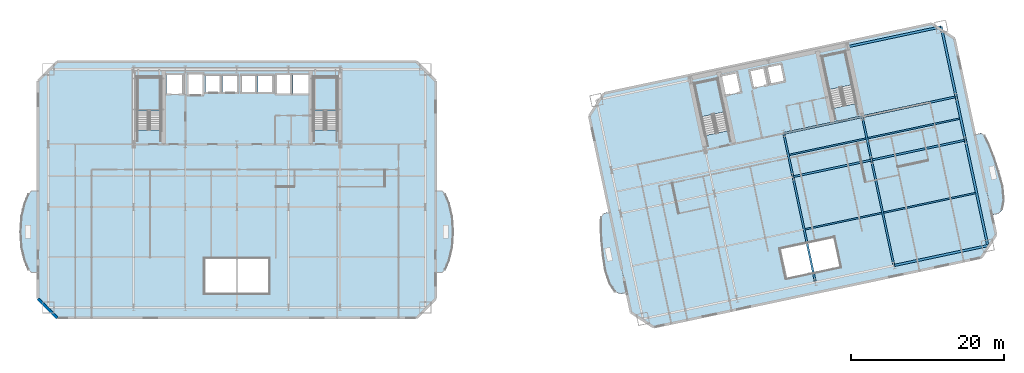
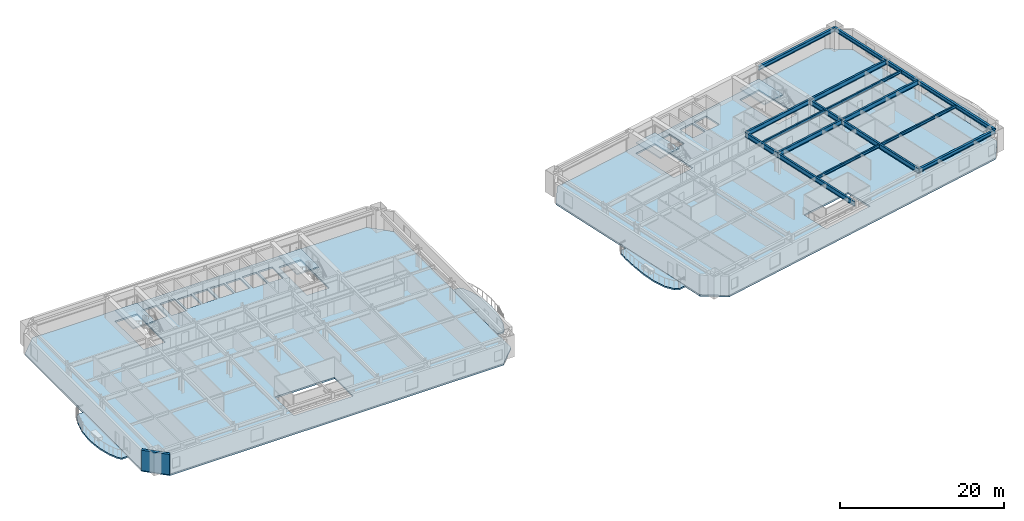
# One storey, part 4 of 16: 17 beams, 10 slabs, 1 wall, 4 elements without a shape of their own.
"""IFC4 building model written with IfcOpenShell, lengths in metres."""

from ifc_helpers import new_model, si_unit, direction, frame, frame_2d, origin, origin_2d, place, context, subcontext, project, spatial, polyline, rectangle, i_section, outline, extrude, material, layer, layer_set, material_profile, profile_set, type_object, element, aggregate, save


model = new_model("IFC4")

# Units and contexts
model_context = context("Model", 3, precision=1e-05, world=origin(), true_north=direction((0.0, 1.0)))
body_context = subcontext(model_context, "Body", "Model", "MODEL_VIEW")
ifc_project = project(units=[si_unit("LENGTHUNIT", "METRE"), si_unit("AREAUNIT", "SQUARE_METRE"), si_unit("VOLUMEUNIT", "CUBIC_METRE"), si_unit("PLANEANGLEUNIT", "RADIAN"), si_unit("MASSUNIT", "GRAM", prefix="KILO")], contexts=[model_context])

# Site, building, storey
site_placement = place(None, origin())
site = spatial("IfcSite", under=ifc_project, at=site_placement, CompositionType="ELEMENT")
building_placement = place(site_placement, origin())
building = spatial("IfcBuilding", under=site, at=building_placement, Name="Haevon Station Towers", CompositionType="ELEMENT")
storey_placement = place(building_placement, frame((0.0, 0.0, 57.0)))
storey = spatial("IfcBuildingStorey", under=building, at=storey_placement, Name="L14", CompositionType="ELEMENT", Elevation=57.0)

# Beams
ifc_material_1 = material(Name="Steel S355", Category="steel")
ifc_material_profile_1 = material_profile(ifc_material_1, i_section(OverallWidth=0.25, OverallDepth=0.699951171875, WebThickness=0.012939453125, FlangeThickness=0.02392578125, at=origin_2d()), Name="H-700x250x13x24")
ifc_profile_set_1 = profile_set([ifc_material_profile_1], Name="Steel S355")
beam_type_1 = type_object("IfcBeamType", Name="BM-G700", PredefinedType="BEAM", material=ifc_profile_set_1)
beam_1_placement = place(storey_placement, frame((110.228759765625, 33.9521484375, 2.699951171875), z_axis=(0.978146794194, 0.207915485254, 0.0), x_axis=(-0.207915485254, 0.978146794194, 0.0)))
element("IfcBeam", 1, at=beam_1_placement, inside=storey, type_object=beam_type_1, Name="BM-T2U-L14-02-03", PredefinedType="BEAM", context=body_context, shape_type="SweptSolid", body=[
    extrude(i_section(OverallWidth=0.25, OverallDepth=0.699951171875, WebThickness=0.012939453125, FlangeThickness=0.02392578125, at=origin_2d()), origin(), (0.0, 0.0, 1.0), 10.5),
])
beam_2_placement = place(storey_placement, frame((120.499267578125, 36.13525390625, 2.699951171875), z_axis=(0.978146686984, 0.207915989628, 0.0), x_axis=(-0.207915989628, 0.978146686984, 0.0)))
element("IfcBeam", 2, at=beam_2_placement, inside=storey, type_object=beam_type_1, Name="BM-T2U-L14-02-04", PredefinedType="BEAM", context=body_context, shape_type="SweptSolid", body=[
    extrude(i_section(OverallWidth=0.25, OverallDepth=0.699951171875, WebThickness=0.012939453125, FlangeThickness=0.02392578125, at=origin_2d()), origin(), (0.0, 0.0, 1.0), 12.550048828125),
])
beam_3_placement = place(storey_placement, frame((109.02294921875, 39.62548828125, 2.699951171875), z_axis=(0.978146794194, 0.207915485254, 0.0), x_axis=(-0.207915485254, 0.978146794194, 0.0)))
element("IfcBeam", 3, at=beam_3_placement, inside=storey, type_object=beam_type_1, Name="BM-T2U-L14-03-03", PredefinedType="BEAM", context=body_context, shape_type="SweptSolid", body=[
    extrude(i_section(OverallWidth=0.25, OverallDepth=0.699951171875, WebThickness=0.012939453125, FlangeThickness=0.02392578125, at=origin_2d()), origin(), (0.0, 0.0, 1.0), 10.5),
])
beam_4_placement = place(storey_placement, frame((119.29345703125, 41.80859375, 2.699951171875), z_axis=(0.978145846015, 0.207919945948, 0.0), x_axis=(-0.207919945948, 0.978145846015, 0.0)))
element("IfcBeam", 4, at=beam_4_placement, inside=storey, type_object=beam_type_1, Name="BM-T2U-L14-03-04", PredefinedType="BEAM", context=body_context, shape_type="SweptSolid", body=[
    extrude(i_section(OverallWidth=0.25, OverallDepth=0.699951171875, WebThickness=0.012939453125, FlangeThickness=0.02392578125, at=origin_2d()), origin(), (0.0, 0.0, 1.0), 12.5498046875),
])
beam_5_placement = place(storey_placement, frame((113.160400390625, 20.160400390625, 2.699951171875), z_axis=(-0.207919431961, 0.978145955271, 0.0), x_axis=(-0.978145955271, -0.207919431961, 0.0)))
element("IfcBeam", 5, at=beam_5_placement, inside=storey, type_object=beam_type_1, Name="BM-T2V-L14-03-01", PredefinedType="BEAM", context=body_context, shape_type="SweptSolid", body=[
    extrude(i_section(OverallWidth=0.25, OverallDepth=0.699951171875, WebThickness=0.012939453125, FlangeThickness=0.02392578125, at=origin_2d()), origin(), (0.0, 0.0, 1.0), 14.099853515625),
])
beam_6_placement = place(storey_placement, frame((110.228759765625, 33.9521484375, 2.699951171875), z_axis=(-0.207896009217, 0.97815093383, 0.0), x_axis=(-0.97815093383, -0.207896009217, 0.0)))
element("IfcBeam", 6, at=beam_6_placement, inside=storey, type_object=beam_type_1, Name="BM-T2V-L14-03-02", PredefinedType="BEAM", context=body_context, shape_type="SweptSolid", body=[
    extrude(i_section(OverallWidth=0.25, OverallDepth=0.699951171875, WebThickness=0.012939453125, FlangeThickness=0.02392578125, at=origin_2d()), origin(), (0.0, 0.0, 1.0), 5.800048828125),
])
beam_7_placement = place(storey_placement, frame((123.430908203125, 22.343505859375, 2.699951171875), z_axis=(-0.207919431961, 0.978145955271, 0.0), x_axis=(-0.978145955271, -0.207919431961, 0.0)))
element("IfcBeam", 7, at=beam_7_placement, inside=storey, type_object=beam_type_1, Name="BM-T2V-L14-04-01", PredefinedType="BEAM", context=body_context, shape_type="SweptSolid", body=[
    extrude(i_section(OverallWidth=0.25, OverallDepth=0.699951171875, WebThickness=0.012939453125, FlangeThickness=0.02392578125, at=origin_2d()), origin(), (0.0, 0.0, 1.0), 14.099853515625),
])
beam_8_placement = place(storey_placement, frame((120.499267578125, 36.13525390625, 2.699951171875), z_axis=(-0.207896009217, 0.97815093383, 0.0), x_axis=(-0.97815093383, -0.207896009217, 0.0)))
element("IfcBeam", 8, at=beam_8_placement, inside=storey, type_object=beam_type_1, Name="BM-T2V-L14-04-02", PredefinedType="BEAM", context=body_context, shape_type="SweptSolid", body=[
    extrude(i_section(OverallWidth=0.25, OverallDepth=0.699951171875, WebThickness=0.012939453125, FlangeThickness=0.02392578125, at=origin_2d()), origin(), (0.0, 0.0, 1.0), 5.800048828125),
])
ifc_material_profile_2 = material_profile(ifc_material_1, i_section(OverallWidth=0.199951171875, OverallDepth=0.39990234375, WebThickness=0.008056640625, FlangeThickness=0.012939453125, at=origin_2d()), Name="H-400x200x8x13")
ifc_profile_set_2 = profile_set([ifc_material_profile_2], Name="Steel S355")
beam_type_2 = type_object("IfcBeamType", Name="BM-J400", PredefinedType="JOIST", material=ifc_profile_set_2)
beam_9_placement = place(storey_placement, frame((111.80224609375, 27.0791015625, 2.85009765625), z_axis=(0.97814448317, 0.207926357261, 0.0), x_axis=(-0.207926357261, 0.97814448317, 0.0)))
element("IfcBeam", 9, at=beam_9_placement, inside=storey, type_object=beam_type_2, Name="BM-T2J-L14-01-03", PredefinedType="JOIST", context=body_context, shape_type="SweptSolid", body=[
    extrude(i_section(OverallWidth=0.199951171875, OverallDepth=0.39990234375, WebThickness=0.008056640625, FlangeThickness=0.012939453125, at=origin_2d()), origin(), (0.0, 0.0, 1.0), 10.27978515625),
])
beam_10_placement = place(storey_placement, frame((122.07275390625, 29.26220703125, 2.85009765625), z_axis=(0.97814878519, 0.20790611831, 0.0), x_axis=(-0.20790611831, 0.97814878519, 0.0)))
element("IfcBeam", 10, at=beam_10_placement, inside=storey, type_object=beam_type_2, Name="BM-T2J-L14-01-04", PredefinedType="JOIST", context=body_context, shape_type="SweptSolid", body=[
    extrude(i_section(OverallWidth=0.199951171875, OverallDepth=0.39990234375, WebThickness=0.008056640625, FlangeThickness=0.012939453125, at=origin_2d()), origin(), (0.0, 0.0, 1.0), 12.330078125),
])
beam_11_placement = place(storey_placement, frame((109.7333984375, 36.811767578125, 2.85009765625), z_axis=(0.978150339653, 0.207898804801, 0.0), x_axis=(-0.207898804801, 0.978150339653, 0.0)))
element("IfcBeam", 11, at=beam_11_placement, inside=storey, type_object=beam_type_2, Name="BM-T2J-L14-02-03", PredefinedType="JOIST", context=body_context, shape_type="SweptSolid", body=[
    extrude(i_section(OverallWidth=0.199951171875, OverallDepth=0.39990234375, WebThickness=0.008056640625, FlangeThickness=0.012939453125, at=origin_2d()), origin(), (0.0, 0.0, 1.0), 10.280029296875),
])
beam_12_placement = place(storey_placement, frame((120.00390625, 38.994873046875, 2.85009765625), z_axis=(0.97814878519, 0.20790611831, 0.0), x_axis=(-0.20790611831, 0.97814878519, 0.0)))
element("IfcBeam", 12, at=beam_12_placement, inside=storey, type_object=beam_type_2, Name="BM-T2J-L14-02-04", PredefinedType="JOIST", context=body_context, shape_type="SweptSolid", body=[
    extrude(i_section(OverallWidth=0.199951171875, OverallDepth=0.39990234375, WebThickness=0.008056640625, FlangeThickness=0.012939453125, at=origin_2d()), origin(), (0.0, 0.0, 1.0), 12.330078125),
])
ifc_material_profile_3 = material_profile(ifc_material_1, i_section(OverallWidth=0.300048828125, OverallDepth=0.587890625, WebThickness=0.011962890625, FlangeThickness=0.02001953125, at=origin_2d()), Name="H-588x300x12x20")
ifc_profile_set_3 = profile_set([ifc_material_profile_3], Name="Steel S355")
beam_type_3 = type_object("IfcBeamType", Name="BM-SP588", PredefinedType="SPANDREL", material=ifc_profile_set_3)
beam_13_placement = place(storey_placement, frame((123.430908203125, 22.343505859375, 2.756103515625), z_axis=(0.978149802248, 0.20790133324, 0.0), x_axis=(-0.20790133324, 0.978149802248, 0.0)))
element("IfcBeam", 13, at=beam_13_placement, inside=storey, type_object=beam_type_3, Name="BM-T2U-L14-01-04", PredefinedType="SPANDREL", context=body_context, shape_type="SweptSolid", body=[
    extrude(i_section(OverallWidth=0.300048828125, OverallDepth=0.587890625, WebThickness=0.011962890625, FlangeThickness=0.02001953125, at=origin_2d()), origin(), (0.0, 0.0, 1.0), 12.5498046875),
])
beam_14_placement = place(storey_placement, frame((117.349365234375, 50.954345703125, 2.756103515625), z_axis=(0.978150643069, 0.207897377242, 0.0), x_axis=(-0.207897377242, 0.978150643069, 0.0)))
element("IfcBeam", 14, at=beam_14_placement, inside=storey, type_object=beam_type_3, Name="BM-T2U-L14-04-04", PredefinedType="SPANDREL", context=body_context, shape_type="SweptSolid", body=[
    extrude(i_section(OverallWidth=0.300048828125, OverallDepth=0.587890625, WebThickness=0.011962890625, FlangeThickness=0.02001953125, at=origin_2d()), origin(), (0.0, 0.0, 1.0), 12.550048828125),
])
beam_15_placement = place(storey_placement, frame((135.70654296875, 24.95263671875, 2.756103515625), z_axis=(-0.207899344185, 0.97815022501, 0.0), x_axis=(-0.97815022501, -0.207899344185, 0.0)))
element("IfcBeam", 15, at=beam_15_placement, inside=storey, type_object=beam_type_3, Name="BM-T2V-L14-05-01", PredefinedType="SPANDREL", context=body_context, shape_type="SweptSolid", body=[
    extrude(i_section(OverallWidth=0.300048828125, OverallDepth=0.587890625, WebThickness=0.011962890625, FlangeThickness=0.02001953125, at=origin_2d()), origin(), (0.0, 0.0, 1.0), 14.10009765625),
])
beam_16_placement = place(storey_placement, frame((132.775146484375, 38.74462890625, 2.756103515625), z_axis=(-0.207936282142, 0.978142373363, 0.0), x_axis=(-0.978142373363, -0.207936282142, 0.0)))
element("IfcBeam", 16, at=beam_16_placement, inside=storey, type_object=beam_type_3, Name="BM-T2V-L14-05-02", PredefinedType="SPANDREL", context=body_context, shape_type="SweptSolid", body=[
    extrude(i_section(OverallWidth=0.300048828125, OverallDepth=0.587890625, WebThickness=0.011962890625, FlangeThickness=0.02001953125, at=origin_2d()), origin(), (0.0, 0.0, 1.0), 5.800048828125),
])
beam_17_placement = place(storey_placement, frame((131.569091796875, 44.41796875, 2.756103515625), z_axis=(-0.207902477038, 0.978149559138, 0.0), x_axis=(-0.978149559138, -0.207902477038, 0.0)))
element("IfcBeam", 17, at=beam_17_placement, inside=storey, type_object=beam_type_3, Name="BM-T2V-L14-05-03", PredefinedType="SPANDREL", context=body_context, shape_type="SweptSolid", body=[
    extrude(i_section(OverallWidth=0.300048828125, OverallDepth=0.587890625, WebThickness=0.011962890625, FlangeThickness=0.02001953125, at=origin_2d()), origin(), (0.0, 0.0, 1.0), 9.349853515625),
])

# Slabs
ifc_material_2 = material(Name="Concrete C40/50", Category="concrete")
ifc_layer_1 = layer(ifc_material_2, 0.219970703125)
ifc_layer_set_1 = layer_set([ifc_layer_1], Name="Concrete C40/50")
slab_type_1 = type_object("IfcSlabType", Name="SL-BALC220", PredefinedType="FLOOR", material=ifc_layer_set_1)
slab_1_placement = place(storey_placement, frame((0.0, 0.0, -0.219970703125)))
element("IfcSlab", 18, at=slab_1_placement, inside=storey, type_object=slab_type_1, Name="Tower 1 L14 West SCALLOPED BALCONY", PredefinedType="FLOOR", context=body_context, shape_type="SweptSolid", body=[
    extrude(outline(polyline([(11.4951171875, 32.14990234375), (10.64501953125, 32.14990234375), (10.261962890625, 31.739013671875), (9.751708984375, 30.568359375), (9.316162109375, 28.81640625), (9.141357421875, 26.75), (9.316162109375, 24.68359375), (9.751708984375, 22.931640625), (10.261962890625, 21.760986328125), (10.64501953125, 21.35009765625), (11.4951171875, 21.35009765625), (11.4951171875, 32.14990234375)])), origin(), (0.0, 0.0, 1.0), 0.219970703125),
])
slab_2_placement = place(storey_placement, frame((0.0, 0.0, -0.219970703125)))
element("IfcSlab", 19, at=slab_2_placement, inside=storey, type_object=slab_type_1, Name="Tower 1 L14 East SCALLOPED BALCONY", PredefinedType="FLOOR", context=body_context, shape_type="SweptSolid", body=[
    extrude(outline(polyline([(63.5048828125, 21.35009765625), (64.35498046875, 21.35009765625), (64.738037109375, 21.760986328125), (65.248291015625, 22.931640625), (65.683837890625, 24.68359375), (65.858642578125, 26.75), (65.683837890625, 28.81640625), (65.248291015625, 30.568359375), (64.738037109375, 31.739013671875), (64.35498046875, 32.14990234375), (63.5048828125, 32.14990234375), (63.5048828125, 21.35009765625)])), origin(), (0.0, 0.0, 1.0), 0.219970703125),
])
slab_3_placement = place(storey_placement, frame((0.0, 0.0, -0.219970703125)))
element("IfcSlab", 20, at=slab_3_placement, inside=storey, type_object=slab_type_1, Name="Tower 2 L14 West SCALLOPED BALCONY", PredefinedType="FLOOR", context=body_context, shape_type="SweptSolid", body=[
    extrude(outline(polyline([(86.25830078125, 29.3427734375), (85.3955078125, 29.159423828125), (85.137939453125, 28.684326171875), (85.088134765625, 27.47705078125), (85.15576171875, 25.700439453125), (85.326904296875, 23.624267578125), (85.679443359375, 21.58642578125), (86.263671875, 19.919677734375), (86.987060546875, 18.876708984375), (87.64111328125, 18.595458984375), (88.503662109375, 18.77880859375), (86.25830078125, 29.3427734375)])), origin(), (0.0, 0.0, 1.0), 0.219970703125),
])
slab_4_placement = place(storey_placement, frame((0.0, 0.0, -0.219970703125)))
element("IfcSlab", 21, at=slab_4_placement, inside=storey, type_object=slab_type_1, Name="Tower 2 L14 East SCALLOPED BALCONY", PredefinedType="FLOOR", context=body_context, shape_type="SweptSolid", body=[
    extrude(outline(polyline([(136.2470703125, 28.927001953125), (137.10986328125, 29.1103515625), (137.593017578125, 29.63330078125), (137.82958984375, 30.880126953125), (137.685302734375, 32.640625), (137.178466796875, 34.6455078125), (136.490478515625, 36.612060546875), (135.82958984375, 38.262451171875), (135.293212890625, 39.34521484375), (134.864501953125, 39.67431640625), (134.001708984375, 39.490966796875), (136.2470703125, 28.927001953125)])), origin(), (0.0, 0.0, 1.0), 0.219970703125),
])

# Stair, slab
stair_type = type_object("IfcStairType", Name="STR-DL1450", PredefinedType="USERDEFINED", material=ifc_material_2)
stair_1_placement = place(storey_placement, origin())
stair_1 = element("IfcStair", 22, at=stair_1_placement, inside=storey, type_object=stair_type, Name="L14 Escape Stair ST1", ObjectType="TWO_RETURN_STAIR", PredefinedType="USERDEFINED")
ifc_layer_2 = layer(ifc_material_2, 0.199951171875)
ifc_layer_set_2 = layer_set([ifc_layer_2], Name="Concrete C40/50")
slab_type_2 = type_object("IfcSlabType", Name="SL-LND200", PredefinedType="LANDING", material=ifc_layer_set_2)
slab_5_placement = place(storey_placement, frame((0.0, 0.0, 1.449951171875)))
slab_5 = element("IfcSlab", 23, at=slab_5_placement, type_object=slab_type_2, Name="L14 ST1 Half Landing 1", PredefinedType="LANDING", context=body_context, shape_type="SweptSolid", body=[
    extrude(outline(polyline([(27.580078125, 42.56396484375), (27.580078125, 47.0), (24.47998046875, 47.0), (24.47998046875, 42.56396484375), (27.580078125, 42.56396484375)])), origin(), (0.0, 0.0, 1.0), 0.199951171875),
])
aggregate(stair_1, [slab_5])

stair_2_placement = place(storey_placement, origin())
stair_2 = element("IfcStair", 24, at=stair_2_placement, inside=storey, type_object=stair_type, Name="L14 Escape Stair ST2", ObjectType="TWO_RETURN_STAIR", PredefinedType="USERDEFINED")
slab_6_placement = place(storey_placement, frame((0.0, 0.0, 1.449951171875)))
slab_6 = element("IfcSlab", 25, at=slab_6_placement, type_object=slab_type_2, Name="L14 ST2 Half Landing 1", PredefinedType="LANDING", context=body_context, shape_type="SweptSolid", body=[
    extrude(outline(polyline([(50.6201171875, 42.56396484375), (50.6201171875, 47.0), (47.52001953125, 47.0), (47.52001953125, 42.56396484375), (50.6201171875, 42.56396484375)])), origin(), (0.0, 0.0, 1.0), 0.199951171875),
])
aggregate(stair_2, [slab_6])

stair_3_placement = place(storey_placement, origin())
stair_3 = element("IfcStair", 26, at=stair_3_placement, inside=storey, type_object=stair_type, Name="L14 Escape Stair ST3", ObjectType="TWO_RETURN_STAIR", PredefinedType="USERDEFINED")
slab_7_placement = place(storey_placement, frame((0.0, 0.0, 1.449951171875)))
slab_7 = element("IfcSlab", 27, at=slab_7_placement, type_object=slab_type_2, Name="L14 ST3 Half Landing 1", PredefinedType="LANDING", context=body_context, shape_type="SweptSolid", body=[
    extrude(outline(polyline([(101.2880859375, 42.44287109375), (100.36572265625, 46.781982421875), (97.33349609375, 46.137451171875), (98.255859375, 41.79833984375), (101.2880859375, 42.44287109375)])), origin(), (0.0, 0.0, 1.0), 0.199951171875),
])
aggregate(stair_3, [slab_7])

stair_4_placement = place(storey_placement, origin())
stair_4 = element("IfcStair", 28, at=stair_4_placement, inside=storey, type_object=stair_type, Name="L14 Escape Stair ST4", ObjectType="TWO_RETURN_STAIR", PredefinedType="USERDEFINED")
slab_8_placement = place(storey_placement, frame((0.0, 0.0, 1.449951171875)))
slab_8 = element("IfcSlab", 29, at=slab_8_placement, type_object=slab_type_2, Name="L14 ST4 Half Landing 1", PredefinedType="LANDING", context=body_context, shape_type="SweptSolid", body=[
    extrude(outline(polyline([(117.975341796875, 45.989990234375), (117.052978515625, 50.328857421875), (114.020751953125, 49.684326171875), (114.943115234375, 45.345458984375), (117.975341796875, 45.989990234375)])), origin(), (0.0, 0.0, 1.0), 0.199951171875),
])
aggregate(stair_4, [slab_8])

# Slabs
ifc_layer_3 = layer(ifc_material_2, 0.25)
ifc_layer_set_3 = layer_set([ifc_layer_3], Name="Concrete C40/50")
slab_type_3 = type_object("IfcSlabType", Name="SL-TW250", PredefinedType="FLOOR", material=ifc_layer_set_3)
slab_9_placement = place(storey_placement, frame((0.0, 0.0, -0.25)))
element("IfcSlab", 30, at=slab_9_placement, inside=storey, type_object=slab_type_3, Name="SL-T1-L14", PredefinedType="FLOOR", context=body_context, shape_type="SweptSolid", body=[
    extrude(outline(polyline([(14.0, 15.5), (61.0, 15.5), (63.5, 18.0), (63.5, 46.5), (61.0, 49.0), (14.0, 49.0), (11.5, 46.5), (11.5, 18.0), (14.0, 15.5)]), holes=[polyline([(27.580078125, 40.055908203125), (27.580078125, 47.0), (24.47998046875, 47.0), (24.47998046875, 40.055908203125), (27.580078125, 40.055908203125)]), polyline([(50.6201171875, 40.055908203125), (50.6201171875, 47.0), (47.52001953125, 47.0), (47.52001953125, 40.055908203125), (50.6201171875, 40.055908203125)]), polyline([(28.300048828125, 44.699951171875), (30.5, 44.699951171875), (30.5, 47.39990234375), (28.300048828125, 47.39990234375), (28.300048828125, 44.699951171875)]), polyline([(31.050048828125, 44.60009765625), (33.14990234375, 44.60009765625), (33.14990234375, 47.5), (31.050048828125, 47.5), (31.050048828125, 44.60009765625)]), polyline([(33.39990234375, 44.89990234375), (35.39990234375, 44.89990234375), (35.39990234375, 47.300048828125), (33.39990234375, 47.300048828125), (33.39990234375, 44.89990234375)]), polyline([(35.64990234375, 44.89990234375), (37.64990234375, 44.89990234375), (37.64990234375, 47.300048828125), (35.64990234375, 47.300048828125), (35.64990234375, 44.89990234375)]), polyline([(38.0, 44.89990234375), (40.0, 44.89990234375), (40.0, 47.300048828125), (38.0, 47.300048828125), (38.0, 44.89990234375)]), polyline([(40.25, 44.89990234375), (42.25, 44.89990234375), (42.25, 47.300048828125), (40.25, 47.300048828125), (40.25, 44.89990234375)]), polyline([(42.60009765625, 44.699951171875), (44.60009765625, 44.699951171875), (44.60009765625, 47.39990234375), (42.60009765625, 47.39990234375), (42.60009765625, 44.699951171875)]), polyline([(44.85009765625, 44.699951171875), (46.85009765625, 44.699951171875), (46.85009765625, 47.39990234375), (44.85009765625, 47.39990234375), (44.85009765625, 44.699951171875)]), polyline([(33.300048828125, 18.699951171875), (41.699951171875, 18.699951171875), (41.699951171875, 23.300048828125), (33.300048828125, 23.300048828125), (33.300048828125, 18.699951171875)])]), origin(), (0.0, 0.0, 1.0), 0.25),
])
slab_10_placement = place(storey_placement, frame((0.0, 0.0, -0.25)))
element("IfcSlab", 31, at=slab_10_placement, inside=storey, type_object=slab_type_3, Name="SL-T2-L14", PredefinedType="FLOOR", context=body_context, shape_type="SweptSolid", body=[
    extrude(outline(polyline([(92.01953125, 14.28662109375), (134.862548828125, 23.39306640625), (136.7880859375, 26.358154296875), (131.330322265625, 52.03466796875), (128.365234375, 53.960205078125), (85.5224609375, 44.853759765625), (83.5966796875, 41.888427734375), (89.054443359375, 16.212158203125), (92.01953125, 14.28662109375)]), holes=[polyline([(101.8095703125, 39.98974609375), (100.36572265625, 46.781982421875), (97.33349609375, 46.137451171875), (98.77734375, 39.34521484375), (101.8095703125, 39.98974609375)]), polyline([(118.496826171875, 43.53662109375), (117.052978515625, 50.328857421875), (114.020751953125, 49.684326171875), (115.464599609375, 42.89208984375), (118.496826171875, 43.53662109375)]), polyline([(101.43212890625, 44.554931640625), (103.486328125, 44.99169921875), (102.9248046875, 47.632568359375), (100.870849609375, 47.196044921875), (101.43212890625, 44.554931640625)]), polyline([(105.009765625, 45.519775390625), (106.966064453125, 45.935791015625), (106.467041015625, 48.283203125), (104.5107421875, 47.867431640625), (105.009765625, 45.519775390625)]), polyline([(107.259521484375, 45.998046875), (109.2158203125, 46.413818359375), (108.716796875, 48.761474609375), (106.760498046875, 48.345703125), (107.259521484375, 45.998046875)]), polyline([(109.379150390625, 20.634521484375), (116.421875, 22.131591796875), (115.590087890625, 26.044189453125), (108.54736328125, 24.547119140625), (109.379150390625, 20.634521484375)])]), origin(), (0.0, 0.0, 1.0), 0.25),
])

# Wall
ifc_material_3 = material(Name="Precast concrete C45/55", Category="concrete")
ifc_layer_4 = layer(ifc_material_3, 0.340087890625)
ifc_layer_set_4 = layer_set([ifc_layer_4], Name="Precast concrete C45/55")
wall_type = type_object("IfcWallType", Name="WL-EXT-PIER340", PredefinedType="SOLIDWALL", material=ifc_layer_set_4)
wall_placement = place(storey_placement, frame((14.0, 15.5, 0.0), z_axis=(0.0, 0.0, 1.0), x_axis=(-0.707106781187, 0.707106781187, 0.0)))
element("IfcWall", 32, at=wall_placement, inside=storey, type_object=wall_type, Name="WL-T1-L14-SWC", PredefinedType="SOLIDWALL", context=body_context, shape_type="SweptSolid", body=[
    extrude(rectangle(XDim=3.53564453125, YDim=0.340087890625, at=frame_2d((1.767822265625, 0.0))), origin(), (0.0, 0.0, 1.0), 3.030029296875),
])

save(model, "model.ifc")
